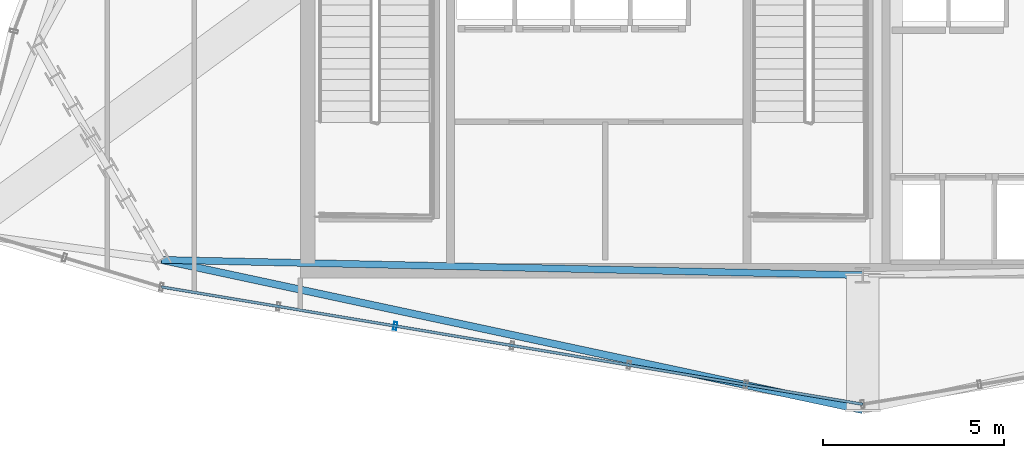
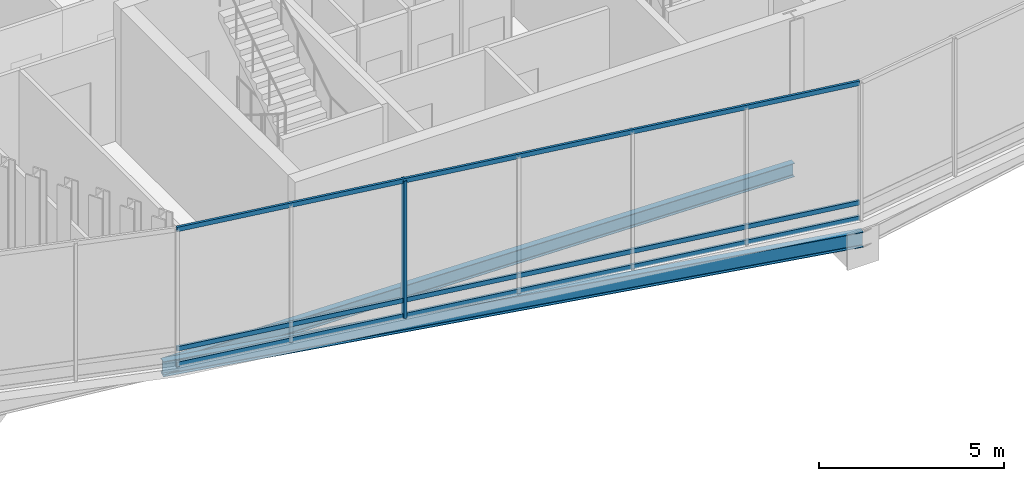
# One storey, part 3 of 29: 4 members, 2 beams, 1 element without a shape of its own.
"""IFC4 building model written with IfcOpenShell, lengths in metres."""

from ifc_helpers import new_model, si_unit, direction, frame, origin, origin_2d, place, context, subcontext, project, spatial, hollow_rectangle, i_section, extrude, material, layer, layer_set, material_profile, profile_set, type_object, element, aggregate, save


model = new_model("IFC4")

# Units and contexts
model_context = context("Model", 3, precision=1e-05, world=origin(), true_north=direction((0.0, 1.0)))
body_context = subcontext(model_context, "Body", "Model", "MODEL_VIEW")
ifc_project = project(units=[si_unit("LENGTHUNIT", "METRE"), si_unit("AREAUNIT", "SQUARE_METRE"), si_unit("VOLUMEUNIT", "CUBIC_METRE"), si_unit("PLANEANGLEUNIT", "RADIAN"), si_unit("MASSUNIT", "GRAM", prefix="KILO")], contexts=[model_context])

# Site, building, storey
site_placement = place(None, origin())
site = spatial("IfcSite", under=ifc_project, at=site_placement, CompositionType="ELEMENT")
building_placement = place(site_placement, origin())
building = spatial("IfcBuilding", under=site, at=building_placement, Name="Ndaravel Arena Tower", CompositionType="ELEMENT")
storey_placement = place(building_placement, frame((0.0, 0.0, 208.39990234375)))
storey = spatial("IfcBuildingStorey", under=building, at=storey_placement, Name="L50", CompositionType="ELEMENT", Elevation=208.39990234375)

# Beams
ifc_material_1 = material(Name="Steel S355", Category="steel")
ifc_material_profile_1 = material_profile(ifc_material_1, i_section(OverallWidth=0.18994140625, OverallDepth=0.449951171875, WebThickness=0.009521484375, FlangeThickness=0.0146484375, FilletRadius=0.02099609375, at=origin_2d()), Name="IPE 450")
ifc_profile_set_1 = profile_set([ifc_material_profile_1], Name="Steel S355")
beam_type_1 = type_object("IfcBeamType", Name="BM-SPAN-IPE450", PredefinedType="SPANDREL", material=ifc_profile_set_1)
beam_1_placement = place(storey_placement, frame((22.602783203125, 5.904541015625, -0.5048828125), z_axis=(0.99976055023, -0.021882463365, 0.0), x_axis=(0.021882463365, 0.99976055023, 0.0)))
element("IfcBeam", 1, at=beam_1_placement, inside=storey, type_object=beam_type_1, Name="L50 Perimeter Spandrel Beam SP-27", PredefinedType="SPANDREL", context=body_context, shape_type="SweptSolid", body=[
    extrude(i_section(OverallWidth=0.18994140625, OverallDepth=0.449951171875, WebThickness=0.009521484375, FlangeThickness=0.0146484375, FilletRadius=0.02099609375, at=origin_2d()), origin(), (0.0, 0.0, 1.0), 19.40185546875),
])
ifc_material_2 = material(Name="Steel S355", Category="steel")
ifc_material_profile_2 = material_profile(ifc_material_2, i_section(OverallWidth=0.199951171875, OverallDepth=0.5, WebThickness=0.01025390625, FlangeThickness=0.01611328125, FilletRadius=0.02099609375, at=origin_2d()), Name="IPE 500")
ifc_profile_set_2 = profile_set([ifc_material_profile_2], Name="Steel S355")
beam_type_2 = type_object("IfcBeamType", Name="BM-SPAN-IPE500", PredefinedType="SPANDREL", material=ifc_profile_set_2)
beam_2_placement = place(storey_placement, frame((22.602783203125, 5.904541015625, -0.52978515625), z_axis=(0.977823121497, -0.209432430788, 0.0), x_axis=(0.209432430788, 0.977823121497, 0.0)))
element("IfcBeam", 2, at=beam_2_placement, inside=storey, type_object=beam_type_2, Name="L50 Star Facet Edge Beam SEA-2", PredefinedType="SPANDREL", context=body_context, shape_type="SweptSolid", body=[
    extrude(i_section(OverallWidth=0.199951171875, OverallDepth=0.5, WebThickness=0.01025390625, FlangeThickness=0.01611328125, FilletRadius=0.02099609375, at=origin_2d()), origin(), (0.0, 0.0, 1.0), 19.837158203125),
])

# Curtain wall, members
ifc_material_3 = material(Name="Aluminium", Category="aluminium")
ifc_layer = layer(ifc_material_3, 0.179931640625)
ifc_layer_set = layer_set([ifc_layer], Name="Aluminium")
curtain_wall_type = type_object("IfcCurtainWallType", Name="CW-SYS-04", PredefinedType="NOTDEFINED", material=ifc_layer_set)
curtain_wall_placement = place(storey_placement, origin())
curtain_wall = element("IfcCurtainWall", 3, at=curtain_wall_placement, inside=storey, type_object=curtain_wall_type, Name="L50 Faceted Crystal Curtain Wall CW-L50-E02", PredefinedType="NOTDEFINED")
ifc_material_4 = material(Name="Aluminium", Category="aluminium")
ifc_material_profile_3 = material_profile(ifc_material_4, hollow_rectangle(XDim=0.090087890625, YDim=0.219970703125, WallThickness=0.0048828125, at=origin_2d()), Name="CW MULLION 90x220x5")
ifc_profile_set_3 = profile_set([ifc_material_profile_3], Name="Aluminium")
member_type_1 = type_object("IfcMemberType", Name="MEM-CW-MUL220", PredefinedType="MULLION", material=ifc_profile_set_3)
member_1_placement = place(storey_placement, frame((29.071533203125, 4.07470703125, 0.0), z_axis=(0.0, 0.0, 1.0), x_axis=(0.98629712163, -0.164978749734, 0.0)))
member_1 = element("IfcMember", 4, at=member_1_placement, type_object=member_type_1, Name="CW-L50-E02 Mullion 02", PredefinedType="MULLION", context=body_context, shape_type="SweptSolid", body=[
    extrude(hollow_rectangle(XDim=0.090087890625, YDim=0.219970703125, WallThickness=0.0048828125, at=origin_2d()), origin(), (0.0, 0.0, 1.0), 4.52001953125),
])
ifc_material_5 = material(Name="Aluminium", Category="aluminium")
ifc_material_profile_4 = material_profile(ifc_material_5, hollow_rectangle(XDim=0.074951171875, YDim=0.14990234375, WallThickness=0.00390625, at=origin_2d()), Name="CW TRANSOM 75x150x4")
ifc_profile_set_4 = profile_set([ifc_material_profile_4], Name="Aluminium")
member_type_2 = type_object("IfcMemberType", Name="MEM-CW-TRN150", PredefinedType="USERDEFINED", material=ifc_profile_set_4)
member_2_placement = place(storey_placement, frame((22.607421875, 5.156005859375, 0.0400390625), z_axis=(0.986296429619, -0.16498288675, 0.0), x_axis=(0.16498288675, 0.986296429619, 0.0)))
member_2 = element("IfcMember", 5, at=member_2_placement, type_object=member_type_2, Name="CW-L50-E02 Transom 01", ObjectType="TRANSOM", PredefinedType="USERDEFINED", context=body_context, shape_type="SweptSolid", body=[
    extrude(hollow_rectangle(XDim=0.074951171875, YDim=0.14990234375, WallThickness=0.00390625, at=origin_2d()), origin(), (0.0, 0.0, 1.0), 19.662109375),
])
member_3_placement = place(storey_placement, frame((22.607421875, 5.156005859375, 0.550048828125), z_axis=(0.986296429619, -0.16498288675, 0.0), x_axis=(0.16498288675, 0.986296429619, 0.0)))
member_3 = element("IfcMember", 6, at=member_3_placement, type_object=member_type_2, Name="CW-L50-E02 Transom 02", ObjectType="TRANSOM", PredefinedType="USERDEFINED", context=body_context, shape_type="SweptSolid", body=[
    extrude(hollow_rectangle(XDim=0.074951171875, YDim=0.14990234375, WallThickness=0.00390625, at=origin_2d()), origin(), (0.0, 0.0, 1.0), 19.662109375),
])
member_4_placement = place(storey_placement, frame((22.607421875, 5.156005859375, 4.47998046875), z_axis=(0.986296429619, -0.16498288675, 0.0), x_axis=(0.16498288675, 0.986296429619, 0.0)))
member_4 = element("IfcMember", 7, at=member_4_placement, type_object=member_type_2, Name="CW-L50-E02 Transom 03", ObjectType="TRANSOM", PredefinedType="USERDEFINED", context=body_context, shape_type="SweptSolid", body=[
    extrude(hollow_rectangle(XDim=0.074951171875, YDim=0.14990234375, WallThickness=0.00390625, at=origin_2d()), origin(), (0.0, 0.0, 1.0), 19.662109375),
])
aggregate(curtain_wall, [member_1, member_2, member_3, member_4])

save(model, "model.ifc")
